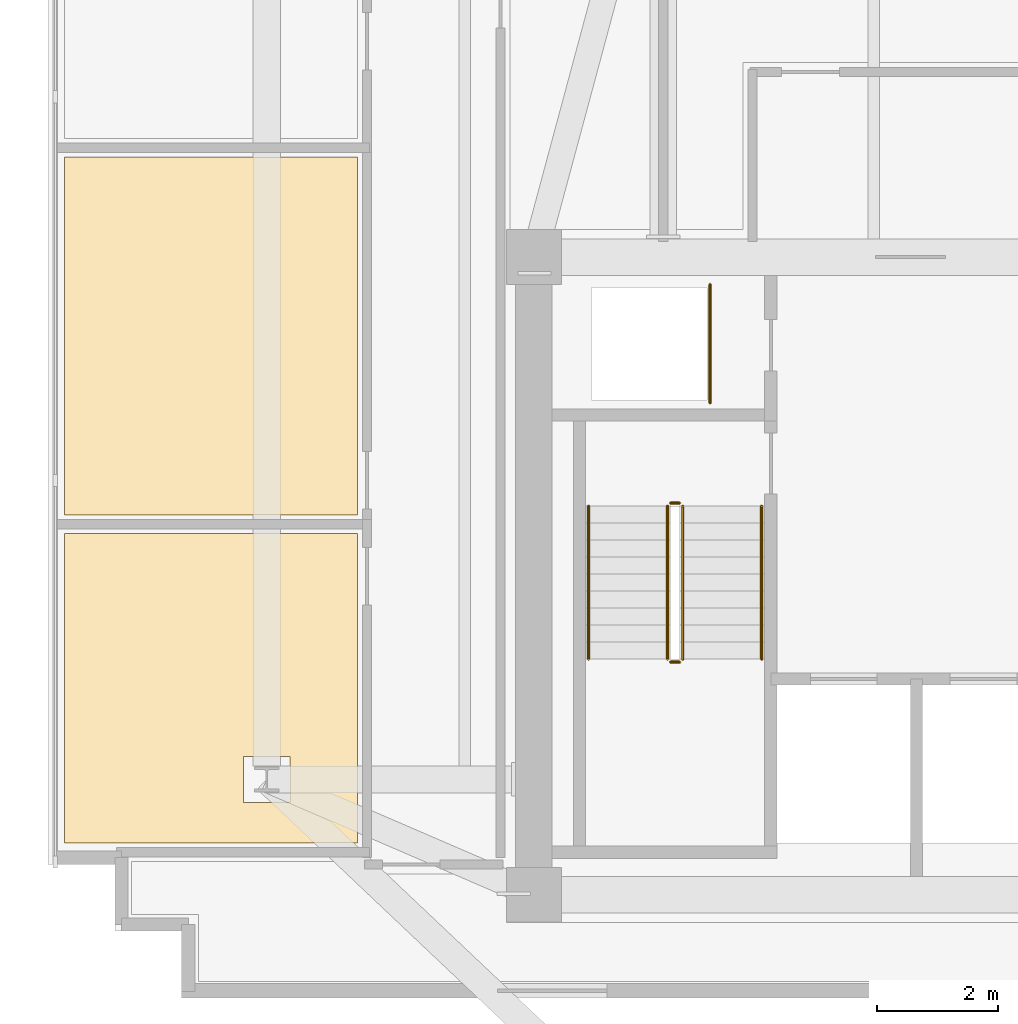
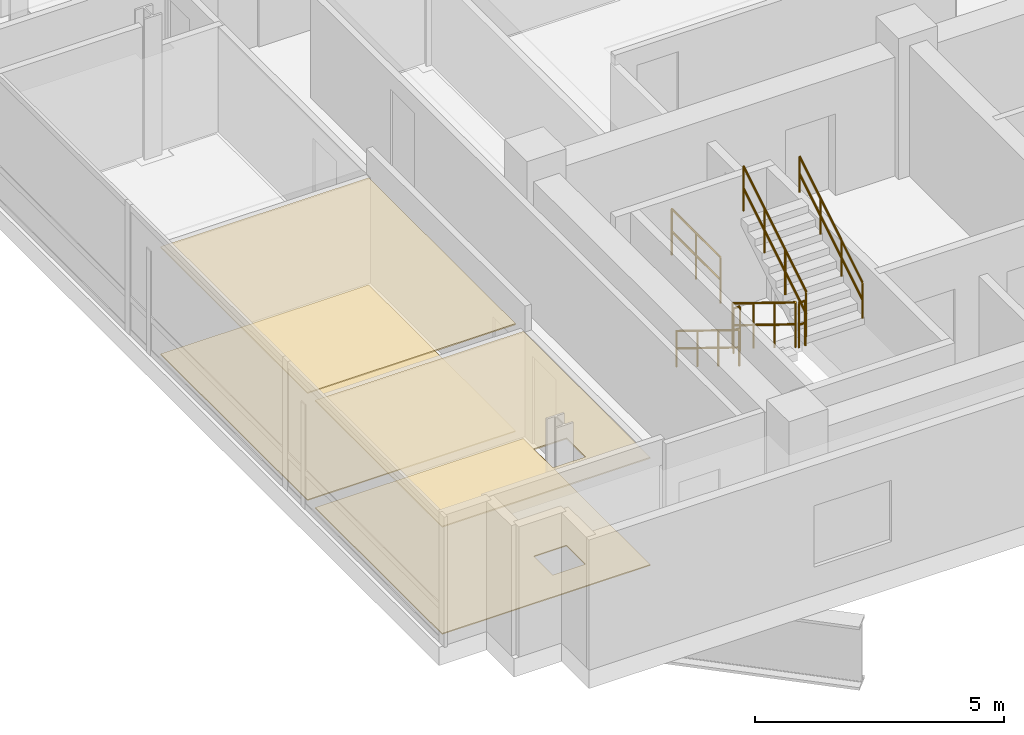
# One storey, part 12 of 16: 7 railings, 4 coverings.
"""IFC4 building model written with IfcOpenShell, lengths in metres."""

from ifc_helpers import new_model, si_unit, direction, frame, origin, origin_2d, place, context, subcontext, project, spatial, polyline, circle, outline, extrude, material, layer, layer_set, type_object, element, save


model = new_model("IFC4")

# Units and contexts
model_context = context("Model", 3, precision=1e-05, world=origin(), true_north=direction((0.0, 1.0)))
body_context = subcontext(model_context, "Body", "Model", "MODEL_VIEW")
ifc_project = project(units=[si_unit("LENGTHUNIT", "METRE"), si_unit("AREAUNIT", "SQUARE_METRE"), si_unit("VOLUMEUNIT", "CUBIC_METRE"), si_unit("PLANEANGLEUNIT", "RADIAN"), si_unit("MASSUNIT", "GRAM", prefix="KILO")], contexts=[model_context])

# Site, building, storey
site_placement = place(None, origin())
site = spatial("IfcSite", under=ifc_project, at=site_placement, CompositionType="ELEMENT")
building_placement = place(site_placement, origin())
building = spatial("IfcBuilding", under=site, at=building_placement, Name="Solmavex Isthmus Hotel", CompositionType="ELEMENT")
storey_placement = place(building_placement, frame((0.0, 0.0, 245.39990234375)))
storey = spatial("IfcBuildingStorey", under=building, at=storey_placement, Name="L66", CompositionType="ELEMENT", Elevation=245.39990234375)

# Coverings
ifc_material_1 = material(Name="Gypsum plasterboard lining", Category="gypsum")
ifc_layer_1 = layer(ifc_material_1, 0.030029296875)
ifc_layer_set_1 = layer_set([ifc_layer_1], Name="Gypsum plasterboard lining")
covering_type_1 = type_object("IfcCoveringType", Name="COV-CEIL-GYP", PredefinedType="CEILING", material=ifc_layer_set_1)
covering_1_placement = place(storey_placement, frame((0.0, 0.0, 2.6201171875)))
element("IfcCovering", 1, at=covering_1_placement, inside=storey, type_object=covering_type_1, Name="Suspended Acoustic Ceiling L66-FL09", PredefinedType="CEILING", context=body_context, shape_type="SweptSolid", body=[
    extrude(outline(polyline([(-23.72509765625, -7.054931640625), (-23.72509765625, -12.14501953125), (-18.905029296875, -12.14501953125), (-18.905029296875, -7.054931640625), (-23.72509765625, -7.054931640625)]), holes=[polyline([(-20.780029296875, -11.47998046875), (-20.780029296875, -10.719970703125), (-20.02001953125, -10.719970703125), (-20.02001953125, -11.47998046875), (-20.780029296875, -11.47998046875)])]), origin(), (0.0, 0.0, 1.0), 0.030029296875),
])
covering_2_placement = place(storey_placement, frame((0.0, 0.0, 2.6201171875)))
element("IfcCovering", 2, at=covering_2_placement, inside=storey, type_object=covering_type_1, Name="Suspended Acoustic Ceiling L66-FL11", PredefinedType="CEILING", context=body_context, shape_type="SweptSolid", body=[
    extrude(outline(polyline([(-23.72509765625, -6.7451171875), (-18.905029296875, -6.7451171875), (-18.905029296875, -0.85498046875), (-23.72509765625, -0.85498046875), (-23.72509765625, -6.7451171875)])), origin(), (0.0, 0.0, 1.0), 0.030029296875),
])
ifc_material_2 = material(Name="Travertine natural stone", Category="masonry")
ifc_layer_2 = layer(ifc_material_2, 0.02490234375)
ifc_layer_set_2 = layer_set([ifc_layer_2], Name="Travertine natural stone")
covering_type_2 = type_object("IfcCoveringType", Name="COV-FLOR-STN", PredefinedType="FLOORING", material=ifc_layer_set_2)
covering_3_placement = place(storey_placement, origin())
element("IfcCovering", 3, at=covering_3_placement, inside=storey, type_object=covering_type_2, Name="Stone and Timber Floor Finish L66-FL09", PredefinedType="FLOORING", context=body_context, shape_type="SweptSolid", body=[
    extrude(outline(polyline([(-23.72509765625, -7.054931640625), (-23.72509765625, -12.14501953125), (-18.905029296875, -12.14501953125), (-18.905029296875, -7.054931640625), (-23.72509765625, -7.054931640625)]), holes=[polyline([(-20.780029296875, -11.47998046875), (-20.780029296875, -10.719970703125), (-20.02001953125, -10.719970703125), (-20.02001953125, -11.47998046875), (-20.780029296875, -11.47998046875)])]), origin(), (0.0, 0.0, 1.0), 0.025146484375),
])
covering_4_placement = place(storey_placement, origin())
element("IfcCovering", 4, at=covering_4_placement, inside=storey, type_object=covering_type_2, Name="Stone and Timber Floor Finish L66-FL11", PredefinedType="FLOORING", context=body_context, shape_type="SweptSolid", body=[
    extrude(outline(polyline([(-23.72509765625, -6.7451171875), (-18.905029296875, -6.7451171875), (-18.905029296875, -0.85498046875), (-23.72509765625, -0.85498046875), (-23.72509765625, -6.7451171875)])), origin(), (0.0, 0.0, 1.0), 0.025146484375),
])

# Railings
ifc_material_3 = material(Name="Clear low-E laminated glass", Category="glass")
ifc_layer_3 = layer(ifc_material_3, 0.080078125)
ifc_layer_set_3 = layer_set([ifc_layer_3], Name="Clear low-E laminated glass")
railing_type_1 = type_object("IfcRailingType", Name="RAIL-ATRIUM-1120", PredefinedType="BALUSTRADE", material=ifc_layer_set_3)
railing_1_placement = place(storey_placement, frame((-13.10009765625, -4.89990234375, 0.0)))
element("IfcRailing", 5, at=railing_1_placement, inside=storey, type_object=railing_type_1, Name="Guardrail Balustrade L66-RSW-01", PredefinedType="BALUSTRADE", context=body_context, shape_type="SweptSolid", body=[
    extrude(circle(Radius=0.02392578125, at=origin_2d()), frame((0.0, 0.0, 1.1259765625), z_axis=(0.0, 1.0, 0.0), x_axis=(-1.0, 0.0, 0.0)), (0.0, 0.0, 1.0), 1.949951171875),
    extrude(circle(Radius=0.02392578125, at=origin_2d()), frame((0.0, 0.0, 0.574951171875), z_axis=(0.0, 1.0, 0.0), x_axis=(-1.0, 0.0, 0.0)), (0.0, 0.0, 1.0), 1.949951171875),
    extrude(circle(Radius=0.02099609375, at=origin_2d()), origin(), (0.0, 0.0, 1.0), 1.101806640625),
    extrude(circle(Radius=0.02099609375, at=origin_2d()), frame((0.0, 0.97509765625, 0.0)), (0.0, 0.0, 1.0), 1.101806640625),
    extrude(circle(Radius=0.02099609375, at=origin_2d()), frame((0.0, 1.949951171875, 0.0)), (0.0, 0.0, 1.0), 1.101806640625),
])
ifc_material_4 = material(Name="Stainless steel 316", Category="steel")
ifc_layer_4 = layer(ifc_material_4, 0.06005859375)
ifc_layer_set_4 = layer_set([ifc_layer_4], Name="Stainless steel 316")
railing_type_2 = type_object("IfcRailingType", Name="RAIL-STAIR-GD", PredefinedType="GUARDRAIL", material=ifc_layer_set_4)
railing_2_placement = place(storey_placement, frame((-13.800048828125, -6.60009765625, 0.172607421875)))
element("IfcRailing", 6, at=railing_2_placement, inside=storey, type_object=railing_type_2, Name="L66 ST-1 stair guard 1", PredefinedType="GUARDRAIL", context=body_context, shape_type="SweptSolid", body=[
    extrude(circle(Radius=0.02392578125, at=origin_2d()), frame((0.0, 0.0, 1.09619140625), z_axis=(0.0, -0.851400495292, 0.524516154772), x_axis=(1.0, 0.0, 0.0)), (0.0, 0.0, 1.0), 2.9599609375),
    extrude(circle(Radius=0.02392578125, at=origin_2d()), frame((0.0, 0.0, 0.56005859375), z_axis=(0.0, -0.851400495292, 0.524516154772), x_axis=(1.0, 0.0, 0.0)), (0.0, 0.0, 1.0), 2.9599609375),
    extrude(circle(Radius=0.02099609375, at=origin_2d()), origin(), (0.0, 0.0, 1.0), 1.072021484375),
    extrude(circle(Radius=0.02099609375, at=origin_2d()), frame((0.0, -0.840087890625, 0.517578125)), (0.0, 0.0, 1.0), 1.072021484375),
    extrude(circle(Radius=0.02099609375, at=origin_2d()), frame((0.0, -1.679931640625, 1.034912109375)), (0.0, 0.0, 1.0), 1.072021484375),
    extrude(circle(Radius=0.02099609375, at=origin_2d()), frame((0.0, -2.52001953125, 1.552490234375)), (0.0, 0.0, 1.0), 1.072021484375),
])
railing_3_placement = place(storey_placement, frame((-13.75, -9.169921875, 1.72509765625)))
element("IfcRailing", 7, at=railing_3_placement, inside=storey, type_object=railing_type_2, Name="L66 ST-1 stair guard 2", PredefinedType="GUARDRAIL", context=body_context, shape_type="SweptSolid", body=[
    extrude(circle(Radius=0.02392578125, at=origin_2d()), frame((0.0, 0.0, 1.09619140625), z_axis=(1.0, 0.0, 0.0), x_axis=(0.0, 1.0, 0.0)), (0.0, 0.0, 1.0), 0.14990234375),
    extrude(circle(Radius=0.02392578125, at=origin_2d()), frame((0.0, 0.0, 0.56005859375), z_axis=(1.0, 0.0, 0.0), x_axis=(0.0, 1.0, 0.0)), (0.0, 0.0, 1.0), 0.14990234375),
    extrude(circle(Radius=0.02099609375, at=origin_2d()), origin(), (0.0, 0.0, 1.0), 1.072021484375),
    extrude(circle(Radius=0.02099609375, at=origin_2d()), frame((0.14990234375, 0.0, 0.0)), (0.0, 0.0, 1.0), 1.072021484375),
])
railing_4_placement = place(storey_placement, frame((-13.550048828125, -9.1201171875, 1.897705078125)))
element("IfcRailing", 8, at=railing_4_placement, inside=storey, type_object=railing_type_2, Name="L66 ST-1 stair guard 3", PredefinedType="GUARDRAIL", context=body_context, shape_type="SweptSolid", body=[
    extrude(circle(Radius=0.02392578125, at=origin_2d()), frame((0.0, 0.0, 1.09619140625), z_axis=(0.0, 0.851400495292, 0.524516154772), x_axis=(-1.0, 0.0, 0.0)), (0.0, 0.0, 1.0), 2.9599609375),
    extrude(circle(Radius=0.02392578125, at=origin_2d()), frame((0.0, 0.0, 0.56005859375), z_axis=(0.0, 0.851400495292, 0.524516154772), x_axis=(-1.0, 0.0, 0.0)), (0.0, 0.0, 1.0), 2.9599609375),
    extrude(circle(Radius=0.02099609375, at=origin_2d()), origin(), (0.0, 0.0, 1.0), 1.072021484375),
    extrude(circle(Radius=0.02099609375, at=origin_2d()), frame((0.0, 0.840087890625, 0.517578125)), (0.0, 0.0, 1.0), 1.072021484375),
    extrude(circle(Radius=0.02099609375, at=origin_2d()), frame((0.0, 1.679931640625, 1.034912109375)), (0.0, 0.0, 1.0), 1.072021484375),
    extrude(circle(Radius=0.02099609375, at=origin_2d()), frame((0.0, 2.52001953125, 1.552490234375)), (0.0, 0.0, 1.0), 1.072021484375),
])
railing_5_placement = place(storey_placement, frame((-13.75, -6.550048828125, 0.0)))
element("IfcRailing", 9, at=railing_5_placement, inside=storey, type_object=railing_type_2, Name="L66 ST-1 stair guard 4", PredefinedType="GUARDRAIL", context=body_context, shape_type="SweptSolid", body=[
    extrude(circle(Radius=0.02392578125, at=origin_2d()), frame((0.0, 0.0, 1.09619140625), z_axis=(1.0, 0.0, 0.0), x_axis=(0.0, 1.0, 0.0)), (0.0, 0.0, 1.0), 0.14990234375),
    extrude(circle(Radius=0.02392578125, at=origin_2d()), frame((0.0, 0.0, 0.56005859375), z_axis=(1.0, 0.0, 0.0), x_axis=(0.0, 1.0, 0.0)), (0.0, 0.0, 1.0), 0.14990234375),
    extrude(circle(Radius=0.02099609375, at=origin_2d()), origin(), (0.0, 0.0, 1.0), 1.072021484375),
    extrude(circle(Radius=0.02099609375, at=origin_2d()), frame((0.14990234375, 0.0, 0.0)), (0.0, 0.0, 1.0), 1.072021484375),
])
ifc_layer_5 = layer(ifc_material_4, 0.050048828125)
ifc_layer_set_5 = layer_set([ifc_layer_5], Name="Stainless steel 316")
railing_type_3 = type_object("IfcRailingType", Name="RAIL-STAIR-HR", PredefinedType="HANDRAIL", material=ifc_layer_set_5)
railing_6_placement = place(storey_placement, frame((-15.10009765625, -6.60009765625, 0.172607421875)))
element("IfcRailing", 10, at=railing_6_placement, inside=storey, type_object=railing_type_3, Name="L66 ST-1 stair handrail 1", PredefinedType="HANDRAIL", context=body_context, shape_type="SweptSolid", body=[
    extrude(circle(Radius=0.02392578125, at=origin_2d()), frame((0.0, 0.0, 0.8759765625), z_axis=(0.0, -0.851400495292, 0.524516154772), x_axis=(1.0, 0.0, 0.0)), (0.0, 0.0, 1.0), 2.9599609375),
    extrude(circle(Radius=0.02392578125, at=origin_2d()), frame((0.0, 0.0, 0.449951171875), z_axis=(0.0, -0.851400495292, 0.524516154772), x_axis=(1.0, 0.0, 0.0)), (0.0, 0.0, 1.0), 2.9599609375),
    extrude(circle(Radius=0.02099609375, at=origin_2d()), origin(), (0.0, 0.0, 1.0), 0.851806640625),
    extrude(circle(Radius=0.02099609375, at=origin_2d()), frame((0.0, -0.840087890625, 0.517578125)), (0.0, 0.0, 1.0), 0.851806640625),
    extrude(circle(Radius=0.02099609375, at=origin_2d()), frame((0.0, -1.679931640625, 1.034912109375)), (0.0, 0.0, 1.0), 0.851806640625),
    extrude(circle(Radius=0.02099609375, at=origin_2d()), frame((0.0, -2.52001953125, 1.552490234375)), (0.0, 0.0, 1.0), 0.851806640625),
])
railing_7_placement = place(storey_placement, frame((-12.25, -9.1201171875, 1.897705078125)))
element("IfcRailing", 11, at=railing_7_placement, inside=storey, type_object=railing_type_3, Name="L66 ST-1 stair handrail 2", PredefinedType="HANDRAIL", context=body_context, shape_type="SweptSolid", body=[
    extrude(circle(Radius=0.02392578125, at=origin_2d()), frame((0.0, 0.0, 0.8759765625), z_axis=(0.0, 0.851400495292, 0.524516154772), x_axis=(-1.0, 0.0, 0.0)), (0.0, 0.0, 1.0), 2.9599609375),
    extrude(circle(Radius=0.02392578125, at=origin_2d()), frame((0.0, 0.0, 0.449951171875), z_axis=(0.0, 0.851400495292, 0.524516154772), x_axis=(-1.0, 0.0, 0.0)), (0.0, 0.0, 1.0), 2.9599609375),
    extrude(circle(Radius=0.02099609375, at=origin_2d()), origin(), (0.0, 0.0, 1.0), 0.851806640625),
    extrude(circle(Radius=0.02099609375, at=origin_2d()), frame((0.0, 0.840087890625, 0.517578125)), (0.0, 0.0, 1.0), 0.851806640625),
    extrude(circle(Radius=0.02099609375, at=origin_2d()), frame((0.0, 1.679931640625, 1.034912109375)), (0.0, 0.0, 1.0), 0.851806640625),
    extrude(circle(Radius=0.02099609375, at=origin_2d()), frame((0.0, 2.52001953125, 1.552490234375)), (0.0, 0.0, 1.0), 0.851806640625),
])

save(model, "model.ifc")
